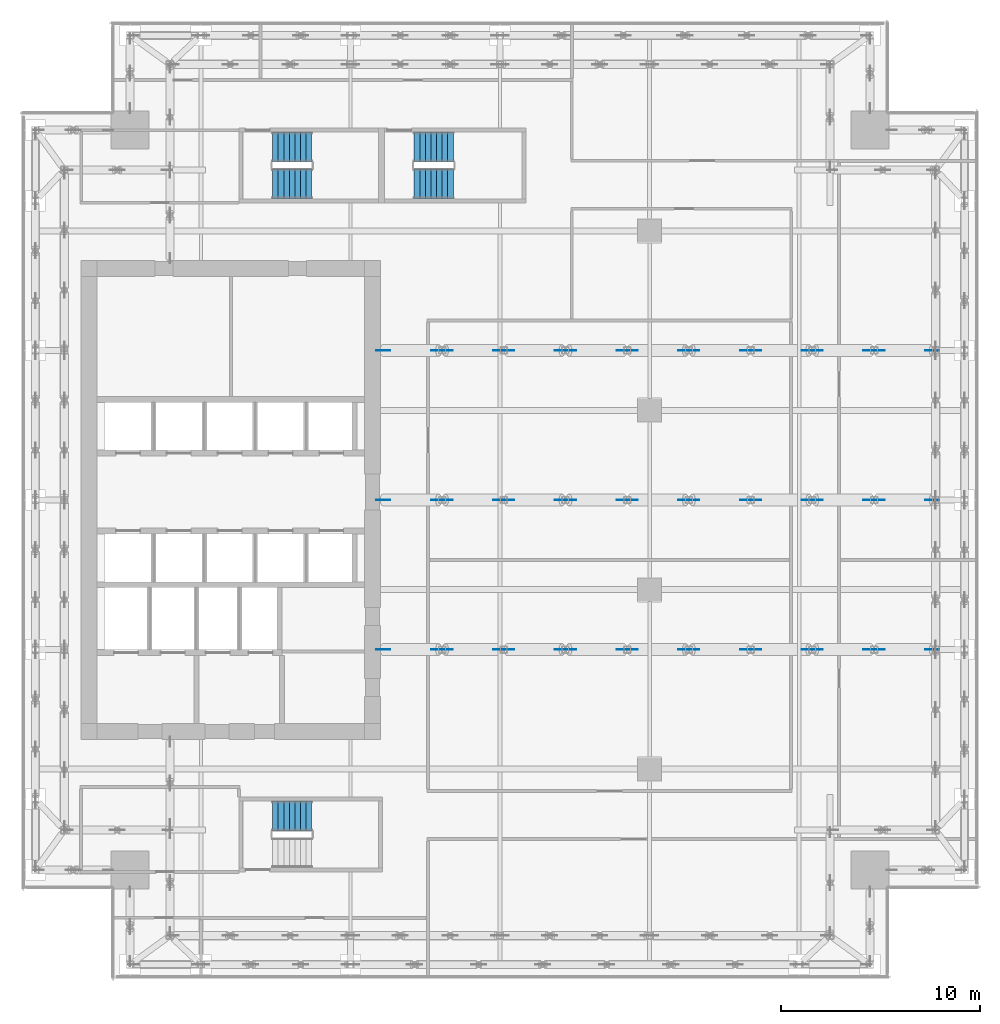
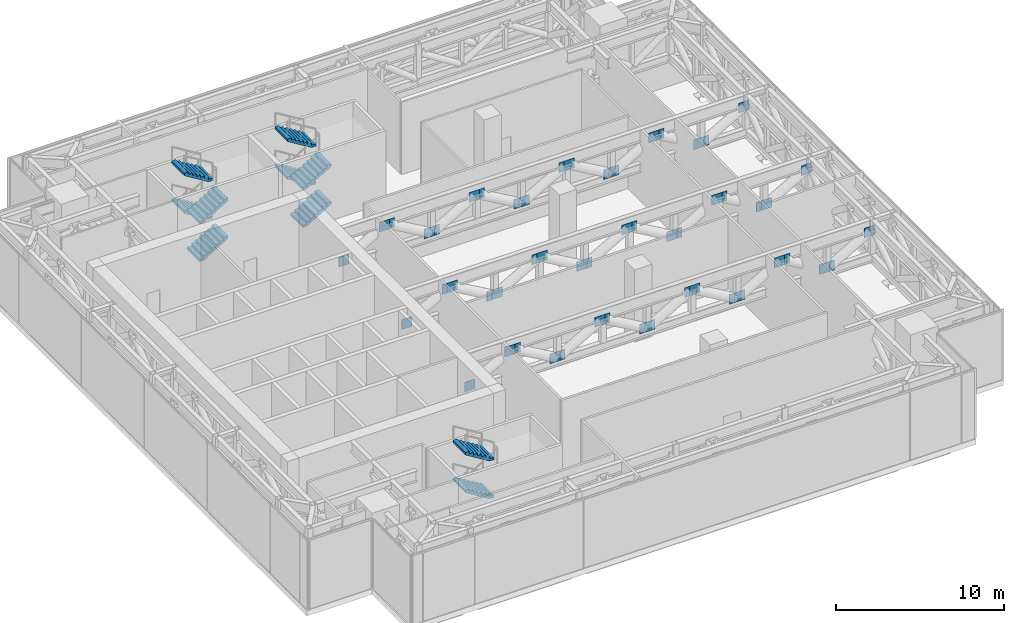
# One storey, part 31 of 36: 54 discrete accessories, 10 stair flights, 3 elements without a shape of their own.
"""IFC4 building model written with IfcOpenShell, lengths in metres."""

import ifcopenshell
import ifcopenshell.guid

model = None  # the IFC model being written
_history = None  # IfcOwnerHistory: only IFC2X3 demands one
_inside = {}  # id of a spatial element -> (the spatial element, [elements in it])
_under = {}  # id of a project, library or spatial element -> (it, [spatial elements below it])
_declared = {}  # id of a project -> (the project, [libraries it declares])
_typed = {}  # id of a type object -> (the type object, [elements of that type])
_made_of = {}  # id of a material, layer set ... -> (it, [elements and type objects made of it])


def new_model(schema):
    """Start an empty IFC model of exactly this schema.

    Asked for "IFC4X3", IfcOpenShell would pick the latest addendum, in which some entities
    have other attributes; the version numbers below select the first issue.
    IFC2X3 requires an IfcOwnerHistory on every rooted entity: one is made here for all.
    """
    global model, _history
    if schema == "IFC4X3":
        model = ifcopenshell.file(schema_version=(4, 3, 0, 0))
    else:
        model = ifcopenshell.file(schema=schema)
    _inside.clear()
    _under.clear()
    _declared.clear()
    _typed.clear()
    _made_of.clear()
    _history = None
    if model.schema == "IFC2X3":
        org = make("IfcOrganization", Name="unknown")
        user = make(
            "IfcPersonAndOrganization",
            ThePerson=make("IfcPerson", FamilyName="unknown"),
            TheOrganization=org,
        )
        app = make(
            "IfcApplication",
            ApplicationDeveloper=org,
            Version="unknown",
            ApplicationFullName="unknown",
            ApplicationIdentifier="unknown",
        )
        _history = make(
            "IfcOwnerHistory",
            OwningUser=user,
            OwningApplication=app,
            ChangeAction="ADDED",
            CreationDate=0,
        )
    return model


def make(cls, **values):
    """One entity of the class cls with the attributes given. An attribute that is None is left unset."""
    return model.create_entity(
        cls, **{name: value for name, value in values.items() if value is not None}
    )


def rooted(cls, **values):
    """An entity with a GlobalId (a new one), such as an element, a storey or a relation."""
    return make(cls, GlobalId=ifcopenshell.guid.new(), OwnerHistory=_history, **values)


def si_unit(unit_type, name, prefix=None):
    """IfcSIUnit, for example si_unit("LENGTHUNIT", "METRE", prefix="MILLI")."""
    return make("IfcSIUnit", UnitType=unit_type, Prefix=prefix, Name=name)


def assignment(units):
    """IfcUnitAssignment: the units of a project."""
    return None if units is None else make("IfcUnitAssignment", Units=units)


def point(xyz):
    """IfcCartesianPoint."""
    return None if xyz is None else make("IfcCartesianPoint", Coordinates=xyz)


def direction(xyz):
    """IfcDirection."""
    return None if xyz is None else make("IfcDirection", DirectionRatios=xyz)


def frame(location, z_axis=None, x_axis=None):
    """IfcAxis2Placement3D, a coordinate frame: its origin and axes. An axis left out is left unset."""
    return make(
        "IfcAxis2Placement3D",
        Location=point(location),
        Axis=direction(z_axis),
        RefDirection=direction(x_axis),
    )


def frame_2d(location, x_axis=None):
    """IfcAxis2Placement2D, a coordinate frame in the plane: its origin and x axis."""
    return make(
        "IfcAxis2Placement2D", Location=point(location), RefDirection=direction(x_axis)
    )


def origin():
    """The frame at (0, 0, 0) with its axes left unset."""
    return frame((0.0, 0.0, 0.0))


def origin_2d():
    """The frame at (0, 0) in the plane with its x axis left unset."""
    return frame_2d((0.0, 0.0))


def place(relative_to, where):
    """IfcLocalPlacement: puts the frame where relative to a parent placement (None: the world)."""
    return make(
        "IfcLocalPlacement", PlacementRelTo=relative_to, RelativePlacement=where
    )


def context(
    kind, dimensions, precision=None, world=None, true_north=None, identifier=None
):
    """IfcGeometricRepresentationContext, for example the 3D "Model" context."""
    return make(
        "IfcGeometricRepresentationContext",
        ContextIdentifier=identifier,
        ContextType=kind,
        CoordinateSpaceDimension=dimensions,
        Precision=precision,
        WorldCoordinateSystem=world,
        TrueNorth=true_north,
    )


def subcontext(parent, identifier, kind, view, scale=None):
    """IfcGeometricRepresentationSubContext, for example "Body" below "Model"."""
    return make(
        "IfcGeometricRepresentationSubContext",
        ContextIdentifier=identifier,
        ContextType=kind,
        ParentContext=parent,
        TargetScale=scale,
        TargetView=view,
    )


def project(units=None, contexts=None):
    """IfcProject with its units and contexts."""
    return rooted(
        "IfcProject",
        Name="project",
        RepresentationContexts=contexts,
        UnitsInContext=assignment(units),
    )


def spatial(cls, under=None, at=None, **own):
    """A site, building, storey or space (cls), placed at a placement, below another one or the project."""
    s = rooted(cls, ObjectPlacement=at, **own)
    if under is not None:
        _under.setdefault(under.id(), (under, []))[1].append(s)
    return s


def polyline(points):
    """IfcPolyline through the points."""
    return make("IfcPolyline", Points=[point(p) for p in points])


def profile(cls, at=None, kind="AREA", **sizes):
    """A parametric profile (cls). Its sizes go by their IFC names, for example OverallWidth=200.0."""
    return make(cls, ProfileType=kind, Position=at, **sizes)


def rectangle(**sizes):
    """IfcRectangleProfileDef."""
    return profile("IfcRectangleProfileDef", **sizes)


def outline(outer, holes=None, kind="AREA"):
    """IfcArbitraryClosedProfileDef: a profile drawn as a closed curve; with holes, ...WithVoids."""
    if holes is None:
        return make("IfcArbitraryClosedProfileDef", ProfileType=kind, OuterCurve=outer)
    return make(
        "IfcArbitraryProfileDefWithVoids",
        ProfileType=kind,
        OuterCurve=outer,
        InnerCurves=holes,
    )


def extrude(swept, where, along, depth):
    """IfcExtrudedAreaSolid: the profile swept, set in the frame where, extruded along a direction by depth."""
    return make(
        "IfcExtrudedAreaSolid",
        SweptArea=swept,
        Position=where,
        ExtrudedDirection=direction(along),
        Depth=depth,
    )


def shape(context_of_items, identifier, shape_type, items):
    """IfcShapeRepresentation: the items that make up one representation, for example the "Body"."""
    return make(
        "IfcShapeRepresentation",
        ContextOfItems=context_of_items,
        RepresentationIdentifier=identifier,
        RepresentationType=shape_type,
        Items=items,
    )


def source(mapping_origin, context_of_items, identifier, shape_type, items):
    """IfcRepresentationMap: a shape defined once, which mapped items show again and again."""
    return make(
        "IfcRepresentationMap",
        MappingOrigin=mapping_origin,
        MappedRepresentation=shape(context_of_items, identifier, shape_type, items),
    )


def transform(
    local_origin,
    x_axis=None,
    y_axis=None,
    z_axis=None,
    scale=None,
    scale2=None,
    scale3=None,
    uniform=True,
):
    """IfcCartesianTransformationOperator3D, or its non-uniform kind. x_axis, y_axis, z_axis: its Axis1, 2, 3."""
    if uniform:
        return make(
            "IfcCartesianTransformationOperator3D",
            Axis1=direction(x_axis),
            Axis2=direction(y_axis),
            LocalOrigin=point(local_origin),
            Scale=scale,
            Axis3=direction(z_axis),
        )
    return make(
        "IfcCartesianTransformationOperator3DnonUniform",
        Axis1=direction(x_axis),
        Axis2=direction(y_axis),
        LocalOrigin=point(local_origin),
        Scale=scale,
        Axis3=direction(z_axis),
        Scale2=scale2,
        Scale3=scale3,
    )


def mapped(mapping_source, mapping_target):
    """IfcMappedItem: shows the shape of a source again, moved by a transform."""
    return make(
        "IfcMappedItem", MappingSource=mapping_source, MappingTarget=mapping_target
    )


def material(Name=None, Category=None):
    """IfcMaterial."""
    return make("IfcMaterial", Name=Name, Category=Category)


def layer(
    of_material, thickness, ventilated=None, Name=None, Category=None, Priority=None
):
    """IfcMaterialLayer: one layer of a wall or slab, of a material (None: an air gap)."""
    return make(
        "IfcMaterialLayer",
        Material=of_material,
        LayerThickness=thickness,
        IsVentilated=ventilated,
        Name=Name,
        Category=Category,
        Priority=Priority,
    )


def layer_set(layers, Name=None):
    """IfcMaterialLayerSet."""
    return make("IfcMaterialLayerSet", MaterialLayers=layers, LayerSetName=Name)


def made_of(thing, what):
    """Note that an element or type object is made of a material, layer set ...; save() writes the relation."""
    if what is not None:
        _made_of.setdefault(what.id(), (what, []))[1].append(thing)
    return thing


def type_object(cls, material=None, **own):
    """A type object (cls), such as IfcWallType, which elements share."""
    return made_of(rooted(cls, **own), material)


def element(
    cls,
    number,
    at=None,
    inside=None,
    cuts=None,
    type_object=None,
    material=None,
    context=None,
    identifier="Body",
    shape_type=None,
    held_by="IfcProductDefinitionShape",
    body=None,
    shapes=None,
    **own,
):
    """One element of the class cls, such as IfcWall. Its Tag is "e" and its number.

    at: its placement. inside: the storey or other place that contains it. cuts: it is an
    opening in that element (IfcRelVoidsElement). A single representation is given by context,
    identifier, shape_type and body (its items); several are given by shapes. held_by: the class
    of the entity that holds the representations. save() writes the other relations.
    """
    e = rooted(cls, Tag="e%d" % number, ObjectPlacement=at, **own)
    if body is not None:
        shapes = [shape(context, identifier, shape_type, body)]
    if shapes is not None:
        e.Representation = make(held_by, Representations=shapes)
    if inside is not None:
        _inside.setdefault(inside.id(), (inside, []))[1].append(e)
    if cuts is not None:
        rooted(
            "IfcRelVoidsElement", RelatingBuildingElement=cuts, RelatedOpeningElement=e
        )
    if type_object is not None:
        _typed.setdefault(type_object.id(), (type_object, []))[1].append(e)
    return made_of(e, material)


def aggregate(whole, parts):
    """IfcRelAggregates: a whole, such as a stair, and the parts it consists of."""
    return rooted("IfcRelAggregates", RelatingObject=whole, RelatedObjects=parts)


def save(model, path):
    """Write the relations noted so far, then the file.

    IfcRelAggregates (storeys below a building ...), IfcRelContainedInSpatialStructure (elements
    in a storey), IfcRelDefinesByType, IfcRelAssociatesMaterial and IfcRelDeclares: one each for
    every whole, place, type object, material and project.
    """
    for whole, parts in _under.values():
        aggregate(whole, parts)
    for where, things in _inside.values():
        rooted(
            "IfcRelContainedInSpatialStructure",
            RelatedElements=things,
            RelatingStructure=where,
        )
    for kind, things in _typed.values():
        rooted("IfcRelDefinesByType", RelatedObjects=things, RelatingType=kind)
    for what, things in _made_of.values():
        rooted("IfcRelAssociatesMaterial", RelatedObjects=things, RelatingMaterial=what)
    for by, libraries in _declared.values():
        rooted("IfcRelDeclares", RelatingContext=by, RelatedDefinitions=libraries)
    model.write(path)


model = new_model("IFC4")

# Units and contexts
model_context = context("Model", 3, precision=1e-05, world=origin(), true_north=direction((0.0, 1.0)))
body_context = subcontext(model_context, "Body", "Model", "MODEL_VIEW")
ifc_project = project(units=[si_unit("LENGTHUNIT", "METRE"), si_unit("AREAUNIT", "SQUARE_METRE"), si_unit("VOLUMEUNIT", "CUBIC_METRE"), si_unit("PLANEANGLEUNIT", "RADIAN"), si_unit("MASSUNIT", "GRAM", prefix="KILO")], contexts=[model_context])

# Site, building, storey
site_placement = place(None, origin())
site = spatial("IfcSite", under=ifc_project, at=site_placement, CompositionType="ELEMENT")
building_placement = place(site_placement, origin())
building = spatial("IfcBuilding", under=site, at=building_placement, Name="Khomas Fold Tower", CompositionType="ELEMENT")
storey_placement = place(building_placement, frame((0.0, 0.0, 216.699951171875)))
storey = spatial("IfcBuildingStorey", under=building, at=storey_placement, Name="L48", CompositionType="ELEMENT", Elevation=216.699951171875)

# Stair, stair flights
ifc_material_1 = material(Name="Concrete C40/50", Category="concrete")
stair_type_1 = type_object("IfcStairType", Name="Stair ST1", PredefinedType="HALF_TURN_STAIR", material=ifc_material_1)
stair_1_placement = place(storey_placement, origin())
stair_1 = element("IfcStair", 1, at=stair_1_placement, inside=storey, type_object=stair_type_1, Name="L48 ST1", PredefinedType="HALF_TURN_STAIR")
ifc_material_2 = material(Name="Concrete C40/50", Category="concrete")
stair_flight_type_1 = type_object("IfcStairFlightType", Name="Stair flight 1500 ST1", PredefinedType="STRAIGHT", material=ifc_material_2)
shared_shape_1 = source(origin(), body_context, "Body", "SweptSolid", [
    extrude(outline(polyline([(0.0, 0.0), (0.0, 0.00146484375), (0.0, 0.0029296875), (0.0, 0.004150390625), (0.0, 0.005615234375), (0.0, 0.007080078125), (0.0, 0.008544921875), (0.0, 0.010009765625), (0.0, 0.011474609375), (0.0, 0.0126953125), (0.0, 0.01416015625), (0.0, 0.015625), (0.0, 0.01708984375), (0.0, 0.0185546875), (0.0, 0.019775390625), (0.0, 0.021240234375), (0.0, 0.022705078125), (0.0, 0.024169921875), (0.0, 0.025634765625), (0.0, 0.027099609375), (0.0, 0.0283203125), (0.0, 0.02978515625), (0.0, 0.03125), (0.0, 0.03271484375), (0.0, 0.0341796875), (0.0, 0.035400390625), (0.0, 0.036865234375), (0.0, 0.038330078125), (0.0, 0.039794921875), (0.0, 0.041259765625), (0.0, 0.042724609375), (0.0, 0.0439453125), (0.0, 0.04541015625), (0.0, 0.046875), (0.0, 0.04833984375), (0.0, 0.0498046875), (0.0, 0.051025390625), (0.0, 0.052490234375), (0.0, 0.053955078125), (0.0, 0.055419921875), (0.0, 0.056884765625), (0.0, 0.058349609375), (0.0, 0.0595703125), (0.0, 0.06103515625), (0.0, 0.0625), (0.0, 0.06396484375), (0.0, 0.0654296875), (0.0, 0.066650390625), (0.0, 0.068115234375), (0.0, 0.069580078125), (0.0, 0.071044921875), (0.0, 0.072509765625), (0.0, 0.073974609375), (0.0, 0.0751953125), (0.0, 0.07666015625), (0.0, 0.078125), (0.0, 0.07958984375), (0.0, 0.0810546875), (0.0, 0.082275390625), (0.0, 0.083740234375), (0.0, 0.085205078125), (0.0, 0.086669921875), (0.0, 0.088134765625), (0.0, 0.089599609375), (0.0, 0.0908203125), (0.0, 0.09228515625), (0.0, 0.09375), (0.0, 0.09521484375), (0.0, 0.0966796875), (0.0, 0.097900390625), (0.0, 0.099365234375), (0.0, 0.100830078125), (0.0, 0.102294921875), (0.0, 0.103759765625), (0.0, 0.105224609375), (0.0, 0.1064453125), (0.0, 0.10791015625), (0.0, 0.109375), (0.0, 0.11083984375), (0.0, 0.1123046875), (0.0, 0.113525390625), (0.0, 0.114990234375), (0.0, 0.116455078125), (0.0, 0.117919921875), (0.0, 0.119384765625), (0.0, 0.120849609375), (0.0, 0.1220703125), (0.0, 0.12353515625), (0.0, 0.125), (0.0, 0.12646484375), (0.0, 0.1279296875), (0.0, 0.129150390625), (0.0, 0.130615234375), (0.0, 0.132080078125), (0.0, 0.133544921875), (0.0, 0.135009765625), (0.0, 0.136474609375), (0.0, 0.1376953125), (0.0, 0.13916015625), (0.0, 0.140625), (0.0, 0.14208984375), (0.0, 0.1435546875), (0.0, 0.144775390625), (0.0, 0.146240234375), (0.0, 0.147705078125), (0.0, 0.149169921875), (0.0, 0.150634765625), (0.0, 0.152099609375), (0.0, 0.1533203125), (0.0, 0.15478515625), (0.0, 0.15625), (0.0, 0.15771484375), (0.0, 0.1591796875), (0.0, 0.160400390625), (0.0, 0.161865234375), (0.0, 0.163330078125), (0.0, 0.164794921875), (0.0, 0.166259765625), (0.0, 0.167724609375), (0.0, 0.1689453125), (0.0, 0.17041015625), (0.0, 0.171875), (0.280029296875, 0.171875), (0.280029296875, 0.34375), (0.56005859375, 0.34375), (0.56005859375, 0.515625), (0.840087890625, 0.515625), (0.840087890625, 0.6875), (1.1201171875, 0.6875), (1.1201171875, 0.859375), (1.39990234375, 0.859375), (1.39990234375, 1.03125), (1.679931640625, 1.03125), (1.679931640625, 1.203125), (1.9599609375, 1.203125), (1.9599609375, 1.375), (1.9599609375, 1.3720703125), (1.9599609375, 1.369140625), (1.9599609375, 1.366455078125), (1.9599609375, 1.363525390625), (1.9599609375, 1.360595703125), (1.9599609375, 1.357666015625), (1.9599609375, 1.35498046875), (1.9599609375, 1.35205078125), (1.9599609375, 1.34912109375), (1.9599609375, 1.34619140625), (1.9599609375, 1.343505859375), (1.9599609375, 1.340576171875), (1.9599609375, 1.337646484375), (1.9599609375, 1.334716796875), (1.9599609375, 1.331787109375), (1.9599609375, 1.3291015625), (1.9599609375, 1.326171875), (1.9599609375, 1.3232421875), (1.9599609375, 1.3203125), (1.9599609375, 1.317626953125), (1.9599609375, 1.314697265625), (1.9599609375, 1.311767578125), (1.9599609375, 1.308837890625), (1.9599609375, 1.305908203125), (1.9599609375, 1.30322265625), (1.9599609375, 1.30029296875), (1.9599609375, 1.29736328125), (1.9599609375, 1.29443359375), (1.9599609375, 1.291748046875), (1.9599609375, 1.288818359375), (1.9599609375, 1.285888671875), (1.9599609375, 1.282958984375), (1.9599609375, 1.2802734375), (1.9599609375, 1.27734375), (1.9599609375, 1.2744140625), (1.9599609375, 1.271484375), (1.9599609375, 1.2685546875), (1.9599609375, 1.265869140625), (1.9599609375, 1.262939453125), (1.9599609375, 1.260009765625), (1.9599609375, 1.257080078125), (1.9599609375, 1.25439453125), (1.9599609375, 1.25146484375), (1.9599609375, 1.24853515625), (1.9599609375, 1.24560546875), (1.9599609375, 1.24267578125), (1.9599609375, 1.239990234375), (1.9599609375, 1.237060546875), (1.9599609375, 1.234130859375), (1.9599609375, 1.231201171875), (1.9599609375, 1.228515625), (1.9599609375, 1.2255859375), (1.9599609375, 1.22265625), (1.9599609375, 1.2197265625), (1.9599609375, 1.217041015625), (1.9599609375, 1.214111328125), (1.9599609375, 1.211181640625), (1.9599609375, 1.208251953125), (1.9599609375, 1.205322265625), (1.9599609375, 1.20263671875), (1.9599609375, 1.19970703125), (1.9599609375, 1.19677734375), (1.9599609375, 1.19384765625), (1.9599609375, 1.191162109375), (1.9599609375, 1.188232421875), (1.9599609375, 1.185302734375), (1.9599609375, 1.182373046875), (1.9599609375, 1.179443359375), (1.9599609375, 1.1767578125), (1.9599609375, 1.173828125), (1.9599609375, 1.1708984375), (1.9599609375, 1.16796875), (1.9599609375, 1.165283203125), (1.9599609375, 1.162353515625), (1.9599609375, 1.159423828125), (1.9599609375, 1.156494140625), (1.9599609375, 1.15380859375), (1.9599609375, 1.15087890625), (1.9599609375, 1.14794921875), (1.9599609375, 1.14501953125), (1.9599609375, 1.14208984375), (1.9599609375, 1.139404296875), (1.9599609375, 1.136474609375), (1.9599609375, 1.133544921875), (1.9599609375, 1.130615234375), (1.9599609375, 1.1279296875), (1.9599609375, 1.125), (1.9599609375, 1.1220703125), (1.9599609375, 1.119140625), (1.9599609375, 1.1162109375), (1.9599609375, 1.113525390625), (1.9599609375, 1.110595703125), (1.9599609375, 1.107666015625), (1.9599609375, 1.104736328125), (1.9599609375, 1.10205078125), (1.9599609375, 1.09912109375), (1.9599609375, 1.09619140625), (1.9599609375, 1.09326171875), (1.9599609375, 1.090576171875), (1.9599609375, 1.087646484375), (1.9599609375, 1.084716796875), (1.9599609375, 1.081787109375), (1.9599609375, 1.078857421875), (1.9599609375, 1.076171875), (1.9599609375, 1.0732421875), (1.9599609375, 1.0703125), (1.9599609375, 1.0673828125), (1.9599609375, 1.064697265625), (1.9599609375, 1.061767578125), (1.9599609375, 1.058837890625), (1.9599609375, 1.055908203125), (1.9599609375, 1.05322265625), (1.9599609375, 1.05029296875), (1.9599609375, 1.04736328125), (1.9599609375, 1.04443359375), (1.9599609375, 1.04150390625), (1.9599609375, 1.038818359375), (1.9599609375, 1.035888671875), (1.9599609375, 1.032958984375), (1.9599609375, 1.030029296875), (1.9599609375, 1.02734375), (0.28662109375, 0.0), (0.0, 0.0)])), frame((0.0, 0.75, 0.0), z_axis=(0.0, -1.0, 0.0), x_axis=(1.0, 0.0, 0.0)), (0.0, 0.0, 1.0), 1.5),
])
stair_flight_1_placement = place(storey_placement, frame((15.60009765625, 42.85009765625, 0.0), z_axis=(0.0, 0.0, 1.0), x_axis=(1.0, 0.0, 0.0)))
stair_flight_1 = element("IfcStairFlight", 2, at=stair_flight_1_placement, type_object=stair_flight_type_1, Name="ST1 flight 1", NumberOfRisers=8, NumberOfTreads=7, PredefinedType="STRAIGHT", RiserHeight=0.171875, TreadLength=0.28, context=body_context, shape_type="MappedRepresentation", body=[
    mapped(shared_shape_1, transform((0.0, 0.0, 0.0))),
])
stair_flight_2_placement = place(storey_placement, frame((17.56005859375, 44.699951171875, 1.375), z_axis=(0.0, 0.0, 1.0), x_axis=(-1.0, 0.0, 0.0)))
stair_flight_2 = element("IfcStairFlight", 3, at=stair_flight_2_placement, type_object=stair_flight_type_1, Name="ST1 flight 2", NumberOfRisers=8, NumberOfTreads=7, PredefinedType="STRAIGHT", RiserHeight=0.171875, TreadLength=0.28, context=body_context, shape_type="MappedRepresentation", body=[
    mapped(shared_shape_1, transform((0.0, 0.0, 0.0))),
])
stair_flight_3_placement = place(storey_placement, frame((15.60009765625, 42.85009765625, 2.75), z_axis=(0.0, 0.0, 1.0), x_axis=(1.0, 0.0, 0.0)))
stair_flight_3 = element("IfcStairFlight", 4, at=stair_flight_3_placement, type_object=stair_flight_type_1, Name="ST1 flight 3", NumberOfRisers=8, NumberOfTreads=7, PredefinedType="STRAIGHT", RiserHeight=0.171875, TreadLength=0.28, context=body_context, shape_type="MappedRepresentation", body=[
    mapped(shared_shape_1, transform((0.0, 0.0, 0.0))),
])
stair_flight_4_placement = place(storey_placement, frame((17.56005859375, 44.699951171875, 4.125), z_axis=(0.0, 0.0, 1.0), x_axis=(-1.0, 0.0, 0.0)))
stair_flight_4 = element("IfcStairFlight", 5, at=stair_flight_4_placement, type_object=stair_flight_type_1, Name="ST1 flight 4", NumberOfRisers=8, NumberOfTreads=7, PredefinedType="STRAIGHT", RiserHeight=0.171875, TreadLength=0.28, context=body_context, shape_type="MappedRepresentation", body=[
    mapped(shared_shape_1, transform((0.0, 0.0, 0.0))),
])
aggregate(stair_1, [stair_flight_1, stair_flight_2, stair_flight_3, stair_flight_4])

ifc_material_3 = material(Name="Concrete C40/50", Category="concrete")
stair_type_2 = type_object("IfcStairType", Name="Stair ST2", PredefinedType="HALF_TURN_STAIR", material=ifc_material_3)
stair_2_placement = place(storey_placement, origin())
stair_2 = element("IfcStair", 6, at=stair_2_placement, inside=storey, type_object=stair_type_2, Name="L48 ST2", PredefinedType="HALF_TURN_STAIR")
ifc_material_4 = material(Name="Concrete C40/50", Category="concrete")
stair_flight_type_2 = type_object("IfcStairFlightType", Name="Stair flight 1500 ST2", PredefinedType="STRAIGHT", material=ifc_material_4)
stair_flight_5_placement = place(storey_placement, frame((17.56005859375, 11.14990234375, 1.375), z_axis=(0.0, 0.0, 1.0), x_axis=(-1.0, 0.0, 0.0)))
stair_flight_5 = element("IfcStairFlight", 7, at=stair_flight_5_placement, type_object=stair_flight_type_2, Name="ST2 flight 2", NumberOfRisers=8, NumberOfTreads=7, PredefinedType="STRAIGHT", RiserHeight=0.171875, TreadLength=0.28, context=body_context, shape_type="MappedRepresentation", body=[
    mapped(shared_shape_1, transform((0.0, 0.0, 0.0))),
])
stair_flight_6_placement = place(storey_placement, frame((17.56005859375, 11.14990234375, 4.125), z_axis=(0.0, 0.0, 1.0), x_axis=(-1.0, 0.0, 0.0)))
stair_flight_6 = element("IfcStairFlight", 8, at=stair_flight_6_placement, type_object=stair_flight_type_2, Name="ST2 flight 4", NumberOfRisers=8, NumberOfTreads=7, PredefinedType="STRAIGHT", RiserHeight=0.171875, TreadLength=0.28, context=body_context, shape_type="MappedRepresentation", body=[
    mapped(shared_shape_1, transform((0.0, 0.0, 0.0))),
])
aggregate(stair_2, [stair_flight_5, stair_flight_6])

ifc_material_5 = material(Name="Concrete C40/50", Category="concrete")
stair_type_3 = type_object("IfcStairType", Name="Stair ST3", PredefinedType="HALF_TURN_STAIR", material=ifc_material_5)
stair_3_placement = place(storey_placement, origin())
stair_3 = element("IfcStair", 9, at=stair_3_placement, inside=storey, type_object=stair_type_3, Name="L48 ST3", PredefinedType="HALF_TURN_STAIR")
ifc_material_6 = material(Name="Concrete C40/50", Category="concrete")
stair_flight_type_3 = type_object("IfcStairFlightType", Name="Stair flight 1500 ST3", PredefinedType="STRAIGHT", material=ifc_material_6)
stair_flight_7_placement = place(storey_placement, frame((22.699951171875, 42.85009765625, 0.0), z_axis=(0.0, 0.0, 1.0), x_axis=(1.0, 0.0, 0.0)))
stair_flight_7 = element("IfcStairFlight", 10, at=stair_flight_7_placement, type_object=stair_flight_type_3, Name="ST3 flight 1", NumberOfRisers=8, NumberOfTreads=7, PredefinedType="STRAIGHT", RiserHeight=0.171875, TreadLength=0.28, context=body_context, shape_type="MappedRepresentation", body=[
    mapped(shared_shape_1, transform((0.0, 0.0, 0.0))),
])
stair_flight_8_placement = place(storey_placement, frame((24.659912109375, 44.699951171875, 1.375), z_axis=(0.0, 0.0, 1.0), x_axis=(-1.0, 0.0, 0.0)))
stair_flight_8 = element("IfcStairFlight", 11, at=stair_flight_8_placement, type_object=stair_flight_type_3, Name="ST3 flight 2", NumberOfRisers=8, NumberOfTreads=7, PredefinedType="STRAIGHT", RiserHeight=0.171875, TreadLength=0.28, context=body_context, shape_type="MappedRepresentation", body=[
    mapped(shared_shape_1, transform((0.0, 0.0, 0.0))),
])
stair_flight_9_placement = place(storey_placement, frame((22.699951171875, 42.85009765625, 2.75), z_axis=(0.0, 0.0, 1.0), x_axis=(1.0, 0.0, 0.0)))
stair_flight_9 = element("IfcStairFlight", 12, at=stair_flight_9_placement, type_object=stair_flight_type_3, Name="ST3 flight 3", NumberOfRisers=8, NumberOfTreads=7, PredefinedType="STRAIGHT", RiserHeight=0.171875, TreadLength=0.28, context=body_context, shape_type="MappedRepresentation", body=[
    mapped(shared_shape_1, transform((0.0, 0.0, 0.0))),
])
stair_flight_10_placement = place(storey_placement, frame((24.659912109375, 44.699951171875, 4.125), z_axis=(0.0, 0.0, 1.0), x_axis=(-1.0, 0.0, 0.0)))
stair_flight_10 = element("IfcStairFlight", 13, at=stair_flight_10_placement, type_object=stair_flight_type_3, Name="ST3 flight 4", NumberOfRisers=8, NumberOfTreads=7, PredefinedType="STRAIGHT", RiserHeight=0.171875, TreadLength=0.28, context=body_context, shape_type="MappedRepresentation", body=[
    mapped(shared_shape_1, transform((0.0, 0.0, 0.0))),
])
aggregate(stair_3, [stair_flight_7, stair_flight_8, stair_flight_9, stair_flight_10])

# Discrete accessories
ifc_material_7 = material(Name="Steel S355", Category="steel")
ifc_layer = layer(ifc_material_7, 0.034912109375)
ifc_layer_set = layer_set([ifc_layer], Name="Steel S355")
discrete_accessory_type = type_object("IfcDiscreteAccessoryType", Name="Gusset plate 35 x 710 GP6", PredefinedType="BRACKET", material=ifc_layer_set)
shared_shape_2 = source(origin(), body_context, "Body", "SweptSolid", [
    extrude(rectangle(XDim=0.7099609375, YDim=0.034912109375, at=origin_2d()), origin(), (0.0, 0.0, 1.0), 0.7099609375),
])
for number, where, z_axis, x_axis, name in (
    (14, (21.14453125, 19.5, 2.41015625), (0.0, 0.0, 1.0), (1.0, 0.0, 0.0), "Gusset plate OR2-D"),
    (15, (21.14453125, 27.0, 2.41015625), (0.0, 0.0, 1.0), (1.0, 0.0, 0.0), "Gusset plate OR2-D"),
    (16, (21.14453125, 34.5, 2.41015625), (0.0, 0.0, 1.0), (1.0, 0.0, 0.0), "Gusset plate OR2-D"),
    (17, (23.91943359375, 19.5, 3.989990234375), (0.0, 0.0, 1.0), (1.0, 0.0, 0.0), "Gusset plate OR2-D"),
    (18, (23.91943359375, 27.0, 3.989990234375), (0.0, 0.0, 1.0), (1.0, 0.0, 0.0), "Gusset plate OR2-D"),
    (19, (23.91943359375, 34.5, 3.989990234375), (0.0, 0.0, 1.0), (1.0, 0.0, 0.0), "Gusset plate OR2-D"),
    (20, (24.26953125, 19.5, 3.989990234375), (0.0, 0.0, 1.0), (1.0, 0.0, 0.0), "Gusset plate OR2-D"),
    (21, (24.26953125, 27.0, 3.989990234375), (0.0, 0.0, 1.0), (1.0, 0.0, 0.0), "Gusset plate OR2-D"),
    (22, (24.26953125, 34.5, 3.989990234375), (0.0, 0.0, 1.0), (1.0, 0.0, 0.0), "Gusset plate OR2-D"),
    (23, (27.013916015625, 19.5, 2.41015625), (0.0, 0.0, 1.0), (1.0, 0.0, 0.0), "Gusset plate OR2-D"),
    (24, (27.013916015625, 27.0, 2.41015625), (0.0, 0.0, 1.0), (1.0, 0.0, 0.0), "Gusset plate OR2-D"),
    (25, (27.013916015625, 34.5, 2.41015625), (0.0, 0.0, 1.0), (1.0, 0.0, 0.0), "Gusset plate OR2-D"),
    (26, (27.36376953125, 19.5, 2.41015625), (0.0, 0.0, 1.0), (1.0, 0.0, 0.0), "Gusset plate OR2-D"),
    (27, (27.36376953125, 27.0, 2.41015625), (0.0, 0.0, 1.0), (1.0, 0.0, 0.0), "Gusset plate OR2-D"),
    (28, (27.36376953125, 34.5, 2.41015625), (0.0, 0.0, 1.0), (1.0, 0.0, 0.0), "Gusset plate OR2-D"),
    (29, (30.1083984375, 19.5, 3.989990234375), (0.0, 0.0, 1.0), (1.0, 0.0, 0.0), "Gusset plate OR2-D"),
    (30, (30.1083984375, 27.0, 3.989990234375), (0.0, 0.0, 1.0), (1.0, 0.0, 0.0), "Gusset plate OR2-D"),
    (31, (30.1083984375, 34.5, 3.989990234375), (0.0, 0.0, 1.0), (1.0, 0.0, 0.0), "Gusset plate OR2-D"),
    (32, (30.458251953125, 19.5, 3.989990234375), (0.0, 0.0, 1.0), (1.0, 0.0, 0.0), "Gusset plate OR2-D"),
    (33, (30.458251953125, 27.0, 3.989990234375), (0.0, 0.0, 1.0), (1.0, 0.0, 0.0), "Gusset plate OR2-D"),
    (34, (30.458251953125, 34.5, 3.989990234375), (0.0, 0.0, 1.0), (1.0, 0.0, 0.0), "Gusset plate OR2-D"),
    (35, (33.202880859375, 19.5, 2.41015625), (0.0, 0.0, 1.0), (1.0, 0.0, 0.0), "Gusset plate OR2-D"),
    (36, (33.202880859375, 27.0, 2.41015625), (0.0, 0.0, 1.0), (1.0, 0.0, 0.0), "Gusset plate OR2-D"),
    (37, (33.202880859375, 34.5, 2.41015625), (0.0, 0.0, 1.0), (1.0, 0.0, 0.0), "Gusset plate OR2-D"),
    (38, (33.552734375, 19.5, 2.41015625), (0.0, 0.0, 1.0), (1.0, 0.0, 0.0), "Gusset plate OR2-D"),
    (39, (33.552734375, 27.0, 2.41015625), (0.0, 0.0, 1.0), (1.0, 0.0, 0.0), "Gusset plate OR2-D"),
    (40, (33.552734375, 34.5, 2.41015625), (0.0, 0.0, 1.0), (1.0, 0.0, 0.0), "Gusset plate OR2-D"),
    (41, (36.297119140625, 19.5, 3.989990234375), (0.0, 0.0, 1.0), (1.0, 0.0, 0.0), "Gusset plate OR2-D"),
    (42, (36.297119140625, 27.0, 3.989990234375), (0.0, 0.0, 1.0), (1.0, 0.0, 0.0), "Gusset plate OR2-D"),
    (43, (36.297119140625, 34.5, 3.989990234375), (0.0, 0.0, 1.0), (1.0, 0.0, 0.0), "Gusset plate OR2-D"),
    (44, (36.647216796875, 19.5, 3.989990234375), (0.0, 0.0, 1.0), (1.0, 0.0, 0.0), "Gusset plate OR2-D"),
    (45, (36.647216796875, 27.0, 3.989990234375), (0.0, 0.0, 1.0), (1.0, 0.0, 0.0), "Gusset plate OR2-D"),
    (46, (36.647216796875, 34.5, 3.989990234375), (0.0, 0.0, 1.0), (1.0, 0.0, 0.0), "Gusset plate OR2-D"),
    (47, (39.3916015625, 19.5, 2.41015625), (0.0, 0.0, 1.0), (1.0, 0.0, 0.0), "Gusset plate OR2-D"),
    (48, (39.3916015625, 27.0, 2.41015625), (0.0, 0.0, 1.0), (1.0, 0.0, 0.0), "Gusset plate OR2-D"),
    (49, (39.3916015625, 34.5, 2.41015625), (0.0, 0.0, 1.0), (1.0, 0.0, 0.0), "Gusset plate OR2-D"),
    (50, (39.74169921875, 19.5, 2.41015625), (0.0, 0.0, 1.0), (1.0, 0.0, 0.0), "Gusset plate OR2-D"),
    (51, (39.74169921875, 27.0, 2.41015625), (0.0, 0.0, 1.0), (1.0, 0.0, 0.0), "Gusset plate OR2-D"),
    (52, (39.74169921875, 34.5, 2.41015625), (0.0, 0.0, 1.0), (1.0, 0.0, 0.0), "Gusset plate OR2-D"),
    (53, (42.486083984375, 19.5, 3.989990234375), (0.0, 0.0, 1.0), (1.0, 0.0, 0.0), "Gusset plate OR2-D"),
    (54, (42.486083984375, 27.0, 3.989990234375), (0.0, 0.0, 1.0), (1.0, 0.0, 0.0), "Gusset plate OR2-D"),
    (55, (42.486083984375, 34.5, 3.989990234375), (0.0, 0.0, 1.0), (1.0, 0.0, 0.0), "Gusset plate OR2-D"),
    (56, (42.836181640625, 19.5, 3.989990234375), (0.0, 0.0, 1.0), (1.0, 0.0, 0.0), "Gusset plate OR2-D"),
    (57, (42.836181640625, 27.0, 3.989990234375), (0.0, 0.0, 1.0), (1.0, 0.0, 0.0), "Gusset plate OR2-D"),
    (58, (42.836181640625, 34.5, 3.989990234375), (0.0, 0.0, 1.0), (1.0, 0.0, 0.0), "Gusset plate OR2-D"),
    (59, (45.58056640625, 19.5, 2.41015625), (0.0, 0.0, 1.0), (1.0, 0.0, 0.0), "Gusset plate OR2-D"),
    (60, (45.58056640625, 27.0, 2.41015625), (0.0, 0.0, 1.0), (1.0, 0.0, 0.0), "Gusset plate OR2-D"),
    (61, (45.58056640625, 34.5, 2.41015625), (0.0, 0.0, 1.0), (1.0, 0.0, 0.0), "Gusset plate OR2-D"),
    (62, (45.9306640625, 19.5, 2.41015625), (0.0, 0.0, 1.0), (1.0, 0.0, 0.0), "Gusset plate OR2-D"),
    (63, (45.9306640625, 27.0, 2.41015625), (0.0, 0.0, 1.0), (1.0, 0.0, 0.0), "Gusset plate OR2-D"),
    (64, (45.9306640625, 34.5, 2.41015625), (0.0, 0.0, 1.0), (1.0, 0.0, 0.0), "Gusset plate OR2-D"),
    (65, (48.675048828125, 19.5, 3.989990234375), (0.0, 0.0, 1.0), (1.0, 0.0, 0.0), "Gusset plate OR2-D"),
    (66, (48.675048828125, 27.0, 3.989990234375), (0.0, 0.0, 1.0), (1.0, 0.0, 0.0), "Gusset plate OR2-D"),
    (67, (48.675048828125, 34.5, 3.989990234375), (0.0, 0.0, 1.0), (1.0, 0.0, 0.0), "Gusset plate OR2-D"),
):
    element("IfcDiscreteAccessory", number, at=place(storey_placement, frame(where, z_axis=z_axis, x_axis=x_axis)), inside=storey, type_object=discrete_accessory_type, Name=name, PredefinedType="BRACKET", context=body_context, shape_type="MappedRepresentation", body=[
        mapped(shared_shape_2, transform((0.0, 0.0, 0.0))),
    ])

save(model, "model.ifc")
